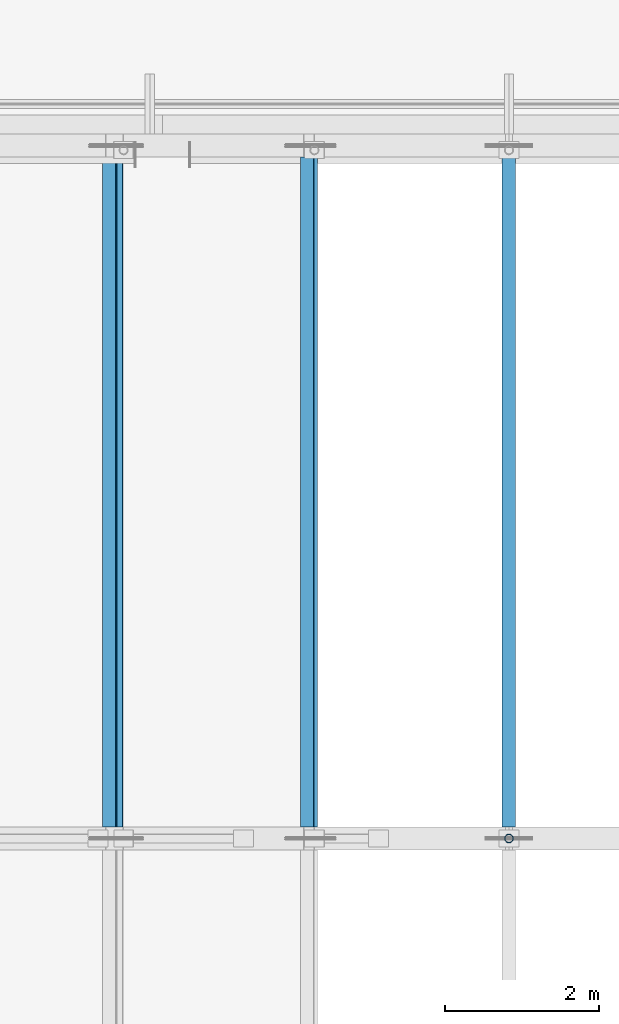
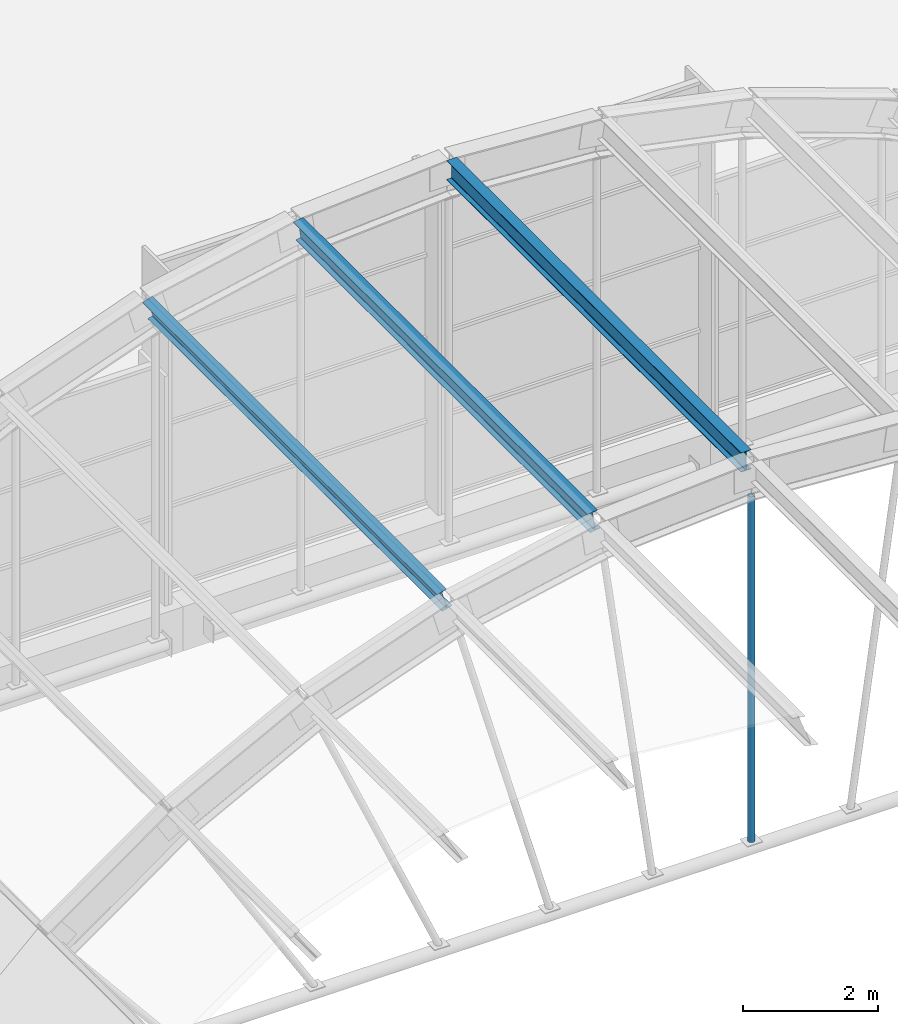
# One storey, part 13 of 43: 4 members.
"""IFC4 building model written with IfcOpenShell, lengths in metres."""

from ifc_helpers import new_model, si_unit, direction, frame, origin, origin_2d, place, context, subcontext, project, spatial, hollow_circle, i_section, extrude, material, material_profile, profile_set, type_object, element, save


model = new_model("IFC4")

# Units and contexts
model_context = context("Model", 3, precision=1e-05, world=origin(), true_north=direction((0.0, 1.0)))
body_context = subcontext(model_context, "Body", "Model", "MODEL_VIEW")
ifc_project = project(units=[si_unit("LENGTHUNIT", "METRE"), si_unit("AREAUNIT", "SQUARE_METRE"), si_unit("VOLUMEUNIT", "CUBIC_METRE"), si_unit("PLANEANGLEUNIT", "RADIAN"), si_unit("MASSUNIT", "GRAM", prefix="KILO")], contexts=[model_context])

# Site, building, storey
site_placement = place(None, origin())
site = spatial("IfcSite", under=ifc_project, at=site_placement, CompositionType="ELEMENT")
building_placement = place(site_placement, origin())
building = spatial("IfcBuilding", under=site, at=building_placement, Name="Guidao Yard Department Store", CompositionType="ELEMENT")
storey_placement = place(building_placement, frame((0.0, 0.0, 28.5)))
storey = spatial("IfcBuildingStorey", under=building, at=storey_placement, Name="L06", CompositionType="ELEMENT", Elevation=28.5)

# Members
ifc_material_1 = material(Name="Steel Q355B", Category="steel")
ifc_material_profile_1 = material_profile(ifc_material_1, hollow_circle(Radius=0.056884765625, WallThickness=0.006103515625, at=origin_2d()), Name="CHS 114x6")
ifc_profile_set_1 = profile_set([ifc_material_profile_1], Name="Steel Q355B")
member_type_1 = type_object("IfcMemberType", Name="CHS 114x6", PredefinedType="BRACE", material=ifc_profile_set_1)
member_placement = place(storey_placement, frame((31.5, 81.0, -0.33447265625), z_axis=(0.0, 0.0, 1.0), x_axis=(1.0, 0.0, 0.0)))
element("IfcMember", 1, at=member_placement, inside=storey, type_object=member_type_1, Name="Roof web strut A04-06", PredefinedType="BRACE", context=body_context, shape_type="SweptSolid", body=[
    extrude(hollow_circle(Radius=0.056884765625, WallThickness=0.006103515625, at=origin_2d()), origin(), (0.0, 0.0, 1.0), 6.238037109375),
])
ifc_material_2 = material(Name="Steel Q355B", Category="steel")
ifc_material_profile_2 = material_profile(ifc_material_2, i_section(OverallWidth=0.175048828125, OverallDepth=0.35009765625, WebThickness=0.007080078125, FlangeThickness=0.010986328125, FilletRadius=0.012939453125, at=origin_2d()), Name="HN 350x175x7x11")
ifc_profile_set_2 = profile_set([ifc_material_profile_2], Name="Steel Q355B")
member_type_2 = type_object("IfcMemberType", Name="HN 350x175x7x11", PredefinedType="PURLIN", material=ifc_profile_set_2)
for number, where, z_axis, x_axis, name in (
    (2, (26.353759765625, 81.14990234375, 5.71533203125), (0.0, 1.0, 0.0), (-0.962711909047, 0.0, -0.270528704906), "Roof purlin A04-04"),
    (3, (28.901611328125, 81.14990234375, 6.24609375), (0.0, 1.0, 0.0), (-0.990647128966, 0.0, -0.13644876647), "Roof purlin A04-05"),
    (4, (31.5, 81.14990234375, 6.424072265625), (0.0, 1.0, 0.0), (-1.0, 0.0, 0.0), "Roof purlin A04-06"),
):
    element("IfcMember", number, at=place(storey_placement, frame(where, z_axis=z_axis, x_axis=x_axis)), inside=storey, type_object=member_type_2, Name=name, PredefinedType="PURLIN", context=body_context, shape_type="SweptSolid", body=[
        extrude(i_section(OverallWidth=0.175048828125, OverallDepth=0.35009765625, WebThickness=0.007080078125, FlangeThickness=0.010986328125, FilletRadius=0.012939453125, at=origin_2d()), origin(), (0.0, 0.0, 1.0), 8.7001953125),
    ])

save(model, "model.ifc")
